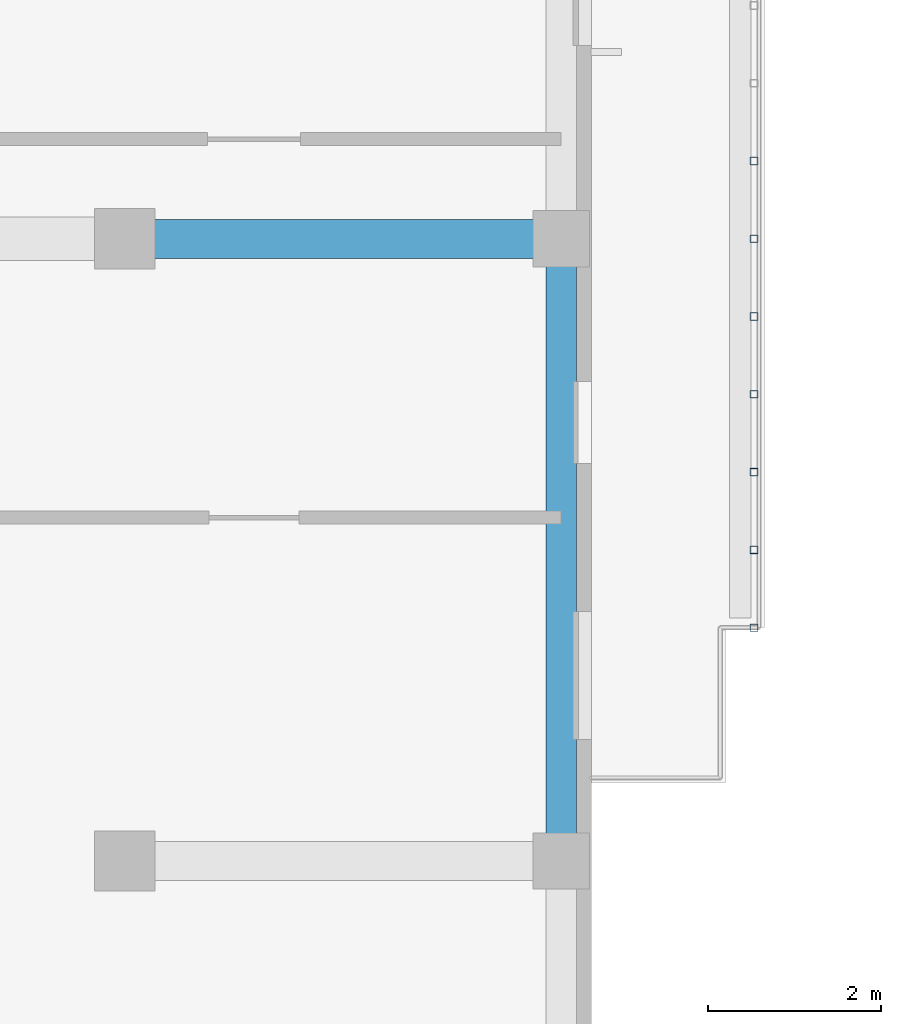
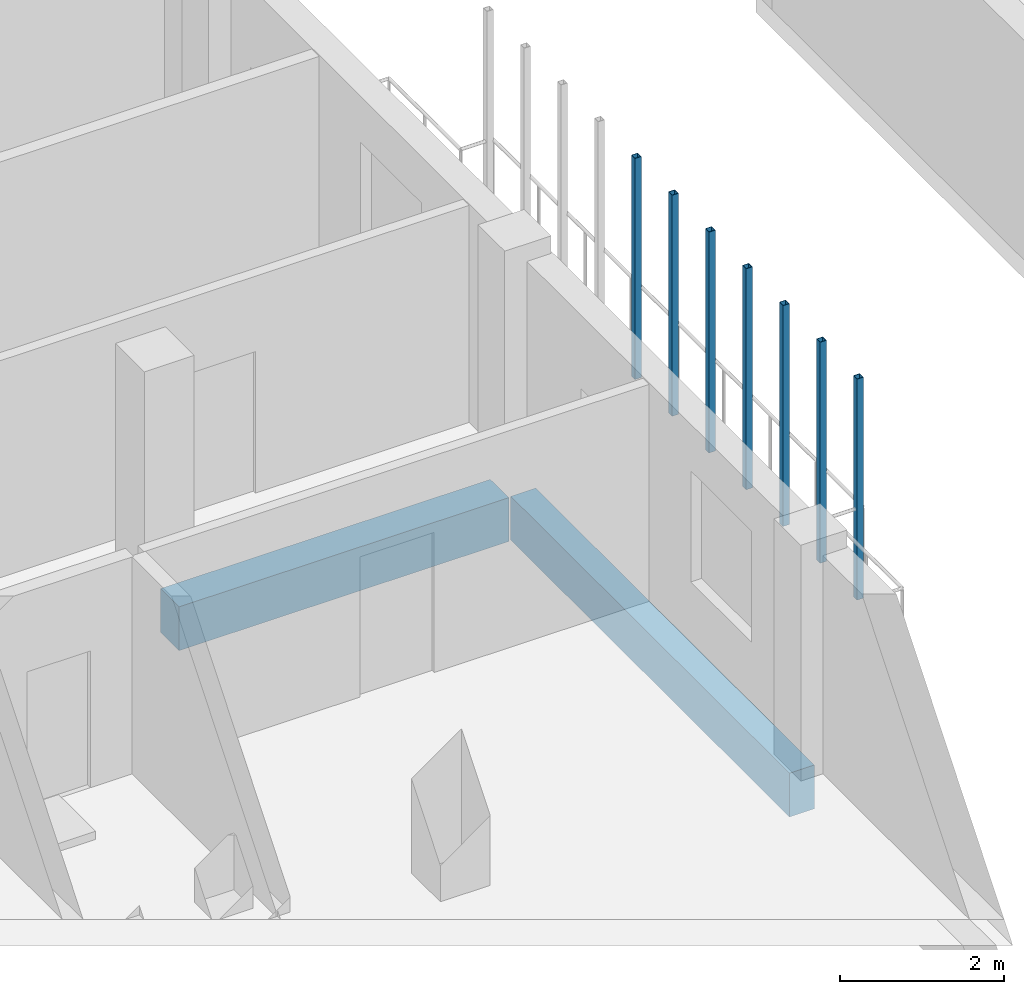
# One storey, part 4 of 73: 7 members, 2 beams.
"""IFC4 building model written with IfcOpenShell, lengths in metres."""

from ifc_helpers import new_model, si_unit, derived_unit, direction, frame, origin, origin_2d, place, context, subcontext, project, spatial, rectangle, hollow_rectangle, extrude, material, material_profile, profile_set, type_object, element, save


model = new_model("IFC4")

# Units and contexts
model_context = context("Model", 3, precision=1e-05, world=origin(), true_north=direction((0.0, 1.0)))
body_context = subcontext(model_context, "Body", "Model", "MODEL_VIEW")
ifc_project = project(units=[si_unit("LENGTHUNIT", "METRE"), si_unit("AREAUNIT", "SQUARE_METRE"), si_unit("VOLUMEUNIT", "CUBIC_METRE"), si_unit("PLANEANGLEUNIT", "RADIAN"), si_unit("MASSUNIT", "GRAM", prefix="KILO"), derived_unit("THERMALTRANSMITTANCEUNIT", [(si_unit("MASSUNIT", "GRAM", prefix="KILO"), 1), (si_unit("TIMEUNIT", "SECOND"), -3), (si_unit("THERMODYNAMICTEMPERATUREUNIT", "KELVIN"), -1)])], contexts=[model_context])

# Site, building, storey
site_placement = place(None, origin())
site = spatial("IfcSite", under=ifc_project, at=site_placement, CompositionType="ELEMENT")
building_placement = place(site_placement, origin())
building = spatial("IfcBuilding", under=site, at=building_placement, Name="Ochrekiln Boulevard Commons", CompositionType="ELEMENT")
storey_placement = place(building_placement, frame((0.0, 0.0, 8.574951171875)))
storey = spatial("IfcBuildingStorey", under=building, at=storey_placement, Name="L02", CompositionType="ELEMENT", Elevation=8.574951171875)

# Beam
ifc_material_1 = material(Name="Concrete C35/45", Category="concrete")
ifc_material_profile_1 = material_profile(ifc_material_1, rectangle(XDim=0.449951171875, YDim=0.64990234375, at=origin_2d()), Name="RC-BM-450x650")
ifc_profile_set_1 = profile_set([ifc_material_profile_1], Name="Concrete C35/45")
beam_type_1 = type_object("IfcBeamType", Name="BM-RC-450x650", PredefinedType="BEAM", material=ifc_profile_set_1)
beam_1_placement = place(storey_placement, frame((16.409912109375, 14.39990234375, -0.5849609375), z_axis=(1.0, 0.0, 0.0), x_axis=(0.0, 1.0, 0.0)))
element("IfcBeam", 1, at=beam_1_placement, inside=storey, type_object=beam_type_1, Name="Block D L02 Beam B-4565 X8", PredefinedType="BEAM", context=body_context, shape_type="SweptSolid", body=[
    extrude(rectangle(XDim=0.449951171875, YDim=0.64990234375, at=origin_2d()), origin(), (0.0, 0.0, 1.0), 4.630126953125),
])

# Members
ifc_material_2 = material(Name="Steel A500 Grade C", Category="steel")
ifc_material_profile_2 = material_profile(ifc_material_2, hollow_rectangle(XDim=0.090087890625, YDim=0.090087890625, WallThickness=0.00634765625, at=origin_2d()), Name="HSS90X90X6.4")
ifc_profile_set_2 = profile_set([ifc_material_profile_2], Name="Steel A500 Grade C")
member_type = type_object("IfcMemberType", Name="MEM-PST-HSS90", PredefinedType="POST", material=ifc_profile_set_2)
for number, where, z_axis, x_axis, name in (
    (2, (23.47998046875, 9.89990234375, 0.0), (0.0, 0.0, 1.0), (1.0, 0.0, 0.0), "Block D L02 Slim Vertical Balcony Post (309)"),
    (3, (23.47998046875, 10.800048828125, 0.0), (0.0, 0.0, 1.0), (1.0, 0.0, 0.0), "Block D L02 Slim Vertical Balcony Post (310)"),
    (4, (23.47998046875, 11.699951171875, 0.0), (0.0, 0.0, 1.0), (1.0, 0.0, 0.0), "Block D L02 Slim Vertical Balcony Post (311)"),
    (5, (23.47998046875, 12.60009765625, 0.0), (0.0, 0.0, 1.0), (1.0, 0.0, 0.0), "Block D L02 Slim Vertical Balcony Post (312)"),
    (6, (23.47998046875, 13.5, 0.0), (0.0, 0.0, 1.0), (1.0, 0.0, 0.0), "Block D L02 Slim Vertical Balcony Post (313)"),
    (7, (23.47998046875, 14.39990234375, 0.0), (0.0, 0.0, 1.0), (1.0, 0.0, 0.0), "Block D L02 Slim Vertical Balcony Post (314)"),
    (8, (23.47998046875, 15.300048828125, 0.0), (0.0, 0.0, 1.0), (1.0, 0.0, 0.0), "Block D L02 Slim Vertical Balcony Post (315)"),
):
    element("IfcMember", number, at=place(storey_placement, frame(where, z_axis=z_axis, x_axis=x_axis)), inside=storey, type_object=member_type, Name=name, PredefinedType="POST", context=body_context, shape_type="SweptSolid", body=[
        extrude(hollow_rectangle(XDim=0.090087890625, YDim=0.090087890625, WallThickness=0.00634765625, at=origin_2d()), origin(), (0.0, 0.0, 1.0), 3.280029296875),
    ])

# Beam
ifc_material_3 = material(Name="Concrete C40/50", Category="concrete")
ifc_material_profile_3 = material_profile(ifc_material_3, rectangle(XDim=0.35009765625, YDim=0.64990234375, at=origin_2d()), Name="RC-SPN-350x650")
ifc_profile_set_3 = profile_set([ifc_material_profile_3], Name="Concrete C40/50")
beam_type_2 = type_object("IfcBeamType", Name="SPN-RC-350x650", PredefinedType="SPANDREL", material=ifc_profile_set_3)
beam_2_placement = place(storey_placement, frame((21.25, 7.409912109375, -0.5849609375), z_axis=(0.0, 1.0, 0.0), x_axis=(-1.0, 0.0, 0.0)))
element("IfcBeam", 9, at=beam_2_placement, inside=storey, type_object=beam_type_2, Name="Block D L02 Beam SP-3565 Y31", PredefinedType="SPANDREL", context=body_context, shape_type="SweptSolid", body=[
    extrude(rectangle(XDim=0.35009765625, YDim=0.64990234375, at=origin_2d()), origin(), (0.0, 0.0, 1.0), 6.780029296875),
])

save(model, "model.ifc")
